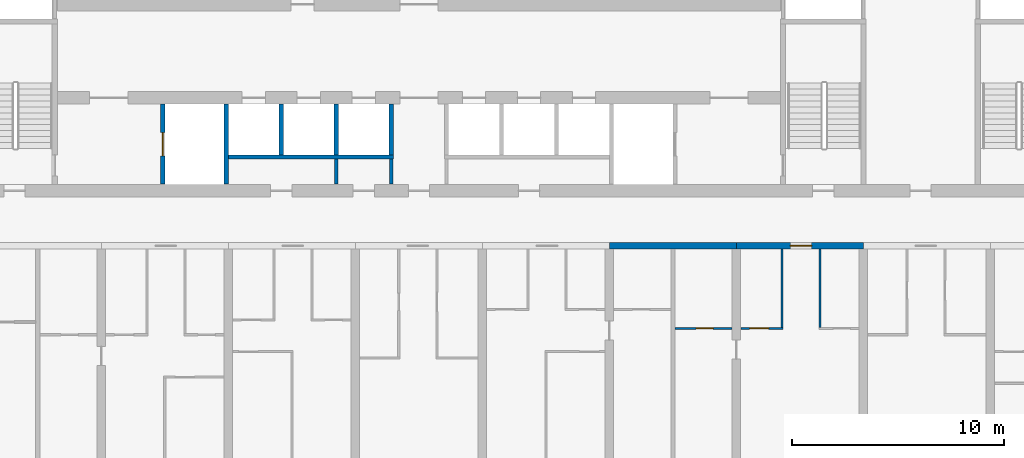
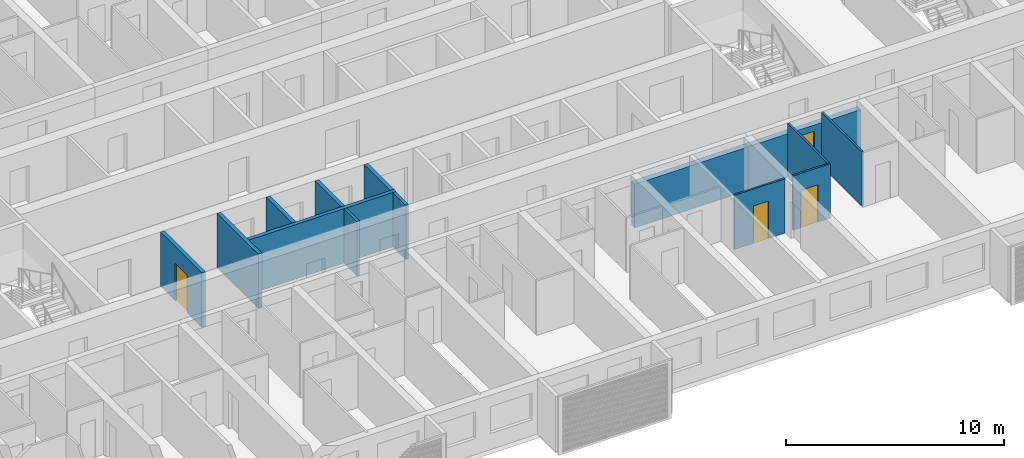
# One storey, part 6 of 39: 14 walls, 4 doors, 4 openings.
"""IFC4 building model written with IfcOpenShell, lengths in metres."""

from ifc_helpers import new_model, si_unit, direction, frame, frame_2d, origin, place, context, subcontext, project, spatial, rectangle, extrude, material, layer, layer_set, type_object, element, fill, save


model = new_model("IFC4")

# Units and contexts
model_context = context("Model", 3, precision=1e-05, world=origin(), true_north=direction((0.0, 1.0)))
body_context = subcontext(model_context, "Body", "Model", "MODEL_VIEW")
ifc_project = project(units=[si_unit("LENGTHUNIT", "METRE"), si_unit("AREAUNIT", "SQUARE_METRE"), si_unit("VOLUMEUNIT", "CUBIC_METRE"), si_unit("PLANEANGLEUNIT", "RADIAN"), si_unit("MASSUNIT", "GRAM", prefix="KILO")], contexts=[model_context])

# Site, building, storey
site_placement = place(None, origin())
site = spatial("IfcSite", under=ifc_project, at=site_placement, CompositionType="ELEMENT")
building_placement = place(site_placement, origin())
building = spatial("IfcBuilding", under=site, at=building_placement, Name="Poui Terraces", CompositionType="ELEMENT")
storey_placement = place(building_placement, frame((0.0, 0.0, 56.39990234375)))
storey = spatial("IfcBuildingStorey", under=building, at=storey_placement, Name="L15", CompositionType="ELEMENT", Elevation=56.39990234375)

# Walls
ifc_material_1 = material(Name="Fire-rated plasterboard wall")
ifc_layer_1 = layer(ifc_material_1, 0.14990234375)
ifc_layer_set_1 = layer_set([ifc_layer_1], Name="Fire-rated plasterboard wall")
wall_type_1 = type_object("IfcWallType", Name="CORRIDOR WALL 150", PredefinedType="PARTITIONING", material=ifc_layer_set_1)
wall_1_placement = place(storey_placement, frame((49.699951171875, 14.909912109375, 0.0), z_axis=(0.0, 0.0, 1.0), x_axis=(0.0, 1.0, 0.0)))
element("IfcWall", 1, at=wall_1_placement, inside=storey, type_object=wall_type_1, Name="CORRIDOR WALL 150", PredefinedType="PARTITIONING", context=body_context, shape_type="SweptSolid", body=[
    extrude(rectangle(XDim=1.190185546875, YDim=0.14990234375, at=frame_2d((0.59521484375, 0.0))), origin(), (0.0, 0.0, 1.0), 3.050048828125),
])
ifc_material_2 = material(Name="Concrete 80 MPa", Category="concrete")
ifc_layer_2 = layer(ifc_material_2, 0.300048828125)
ifc_layer_set_2 = layer_set([ifc_layer_2], Name="Concrete 80 MPa")
wall_type_2 = type_object("IfcWallType", Name="CORRIDOR WALL 300 80MPa", PredefinedType="SHEAR", material=ifc_layer_set_2)
wall_2_placement = place(storey_placement, frame((60.0, 12.0, 0.0), z_axis=(0.0, 0.0, 1.0), x_axis=(1.0, 0.0, 0.0)))
element("IfcWall", 2, at=wall_2_placement, inside=storey, type_object=wall_type_2, Name="CORRIDOR WALL LINE B BAY 10", PredefinedType="SHEAR", context=body_context, shape_type="SweptSolid", body=[
    extrude(rectangle(XDim=6.0, YDim=0.300048828125, at=frame_2d((3.0, 0.0))), origin(), (0.0, 0.0, 1.0), 2.4501953125),
])

# Wall, opening, door
wall_3_placement = place(storey_placement, frame((66.0, 12.0, 0.0), z_axis=(0.0, 0.0, 1.0), x_axis=(1.0, 0.0, 0.0)))
wall_3 = element("IfcWall", 3, at=wall_3_placement, inside=storey, type_object=wall_type_2, Name="CORRIDOR WALL LINE B BAY 11", PredefinedType="SHEAR", context=body_context, shape_type="SweptSolid", body=[
    extrude(rectangle(XDim=6.0, YDim=0.300048828125, at=frame_2d((3.0, 0.0))), origin(), (0.0, 0.0, 1.0), 2.4501953125),
])
opening_1_placement = place(wall_3_placement, frame((2.550048828125, 0.0, 0.0)))
opening_1 = element("IfcOpeningElement", 4, at=opening_1_placement, cuts=wall_3, Name="Opening FD30S", PredefinedType="OPENING", context=body_context, shape_type="SweptSolid", body=[
    extrude(rectangle(XDim=1.0, YDim=2.10009765625, at=frame_2d((0.5, 1.050048828125))), frame((0.0, 0.16015625, 0.0), z_axis=(0.0, -1.0, 0.0), x_axis=(1.0, 0.0, 0.0)), (0.0, 0.0, 1.0), 0.320068359375),
])
ifc_material_3 = material(Name="Steel fire door", Category="steel")
door_type_1 = type_object("IfcDoorType", Name="FLAT ENTRANCE DOOR 1000 X 2100", OperationType="NOTDEFINED", PredefinedType="DOOR", material=ifc_material_3)
door_1_placement = place(opening_1_placement, frame((1.0, 0.0, 0.0), z_axis=(0.0, 0.0, 1.0), x_axis=(-1.0, 0.0, 0.0)))
door_1 = element("IfcDoor", 5, at=door_1_placement, inside=storey, type_object=door_type_1, Name="FLAT ENTRANCE DOOR 121", OperationType="SINGLE_SWING_LEFT", OverallHeight=2.10009765625, OverallWidth=1.0, PredefinedType="DOOR", context=body_context, shape_type="SweptSolid", body=[
    extrude(rectangle(XDim=1.0, YDim=2.10009765625, at=frame_2d((0.5, 1.050048828125))), frame((0.0, 0.02490234375, 0.0), z_axis=(0.0, -1.0, 0.0), x_axis=(1.0, 0.0, 0.0)), (0.0, 0.0, 1.0), 0.050048828125),
])
fill(opening_1, door_1)

ifc_material_4 = material(Name="Plasterboard partition")
ifc_layer_3 = layer(ifc_material_4, 0.10009765625)
ifc_layer_set_3 = layer_set([ifc_layer_3], Name="Plasterboard partition")
wall_type_3 = type_object("IfcWallType", Name="FLAT PARTITION 100", PredefinedType="PARTITIONING", material=ifc_layer_set_3)
wall_4_placement = place(storey_placement, frame((63.10009765625, 8.10009765625, 0.0), z_axis=(0.0, 0.0, 1.0), x_axis=(1.0, 0.0, 0.0)))
wall_4 = element("IfcWall", 6, at=wall_4_placement, inside=storey, type_object=wall_type_3, Name="FLAT PARTITION 100", PredefinedType="PARTITIONING", context=body_context, shape_type="SweptSolid", body=[
    extrude(rectangle(XDim=2.68994140625, YDim=0.10009765625, at=frame_2d((1.344970703125, 0.0))), origin(), (0.0, 0.0, 1.0), 3.050048828125),
])
opening_2_placement = place(wall_4_placement, frame((1.0, 0.0, 0.0)))
opening_2 = element("IfcOpeningElement", 7, at=opening_2_placement, cuts=wall_4, Name="Opening D80", PredefinedType="OPENING", context=body_context, shape_type="SweptSolid", body=[
    extrude(rectangle(XDim=0.800048828125, YDim=2.10009765625, at=frame_2d((0.39990234375, 1.050048828125))), frame((0.0, 0.06005859375, 0.0), z_axis=(0.0, -1.0, 0.0), x_axis=(1.0, 0.0, 0.0)), (0.0, 0.0, 1.0), 0.1201171875),
])
ifc_material_5 = material(Name="Solid core timber door", Category="wood")
door_type_2 = type_object("IfcDoorType", Name="BATHROOM, LAUNDRY AND STORE DOOR 800 X 2100", OperationType="NOTDEFINED", PredefinedType="DOOR", material=ifc_material_5)
door_2_placement = place(opening_2_placement, origin())
door_2 = element("IfcDoor", 8, at=door_2_placement, inside=storey, type_object=door_type_2, Name="BATHROOM, LAUNDRY AND STORE DOOR 118", OperationType="SINGLE_SWING_RIGHT", OverallHeight=2.10009765625, OverallWidth=0.800048828125, PredefinedType="DOOR", context=body_context, shape_type="SweptSolid", body=[
    extrude(rectangle(XDim=0.800048828125, YDim=2.10009765625, at=frame_2d((0.39990234375, 1.050048828125))), frame((0.0, 0.02490234375, 0.0), z_axis=(0.0, -1.0, 0.0), x_axis=(1.0, 0.0, 0.0)), (0.0, 0.0, 1.0), 0.050048828125),
])
fill(opening_2, door_2)

wall_5_placement = place(storey_placement, frame((66.2099609375, 8.10009765625, 0.0), z_axis=(0.0, 0.0, 1.0), x_axis=(1.0, 0.0, 0.0)))
wall_5 = element("IfcWall", 9, at=wall_5_placement, inside=storey, type_object=wall_type_3, Name="FLAT PARTITION 100", PredefinedType="PARTITIONING", context=body_context, shape_type="SweptSolid", body=[
    extrude(rectangle(XDim=1.989990234375, YDim=0.10009765625, at=frame_2d((0.9951171875, 0.0))), origin(), (0.0, 0.0, 1.0), 3.050048828125),
])
opening_3_placement = place(wall_5_placement, frame((0.4150390625, 0.0, 0.0)))
opening_3 = element("IfcOpeningElement", 10, at=opening_3_placement, cuts=wall_5, Name="Opening D90", PredefinedType="OPENING", context=body_context, shape_type="SweptSolid", body=[
    extrude(rectangle(XDim=0.89990234375, YDim=2.10009765625, at=frame_2d((0.449951171875, 1.050048828125))), frame((0.0, 0.06005859375, 0.0), z_axis=(0.0, -1.0, 0.0), x_axis=(1.0, 0.0, 0.0)), (0.0, 0.0, 1.0), 0.1201171875),
])
door_type_3 = type_object("IfcDoorType", Name="INTERNAL DOOR 900 X 2100", OperationType="NOTDEFINED", PredefinedType="DOOR", material=ifc_material_5)
door_3_placement = place(opening_3_placement, origin())
door_3 = element("IfcDoor", 11, at=door_3_placement, inside=storey, type_object=door_type_3, Name="INTERNAL DOOR 120", OperationType="SINGLE_SWING_LEFT", OverallHeight=2.10009765625, OverallWidth=0.89990234375, PredefinedType="DOOR", context=body_context, shape_type="SweptSolid", body=[
    extrude(rectangle(XDim=0.89990234375, YDim=2.10009765625, at=frame_2d((0.449951171875, 1.050048828125))), frame((0.0, 0.02490234375, 0.0), z_axis=(0.0, -1.0, 0.0), x_axis=(1.0, 0.0, 0.0)), (0.0, 0.0, 1.0), 0.050048828125),
])
fill(opening_3, door_3)

# Walls
for number, where, z_axis, x_axis, name in (
    (12, (68.14990234375, 8.14990234375, 0.0), (0.0, 0.0, 1.0), (0.0, 1.0, 0.0), "FLAT PARTITION 100"),
    (13, (69.949951171875, 8.14990234375, 0.0), (0.0, 0.0, 1.0), (0.0, 1.0, 0.0), "FLAT PARTITION 100"),
):
    element("IfcWall", number, at=place(storey_placement, frame(where, z_axis=z_axis, x_axis=x_axis)), inside=storey, type_object=wall_type_3, Name=name, PredefinedType="PARTITIONING", context=body_context, shape_type="SweptSolid", body=[
        extrude(rectangle(XDim=3.690185546875, YDim=0.10009765625, at=frame_2d((1.84521484375, 0.0))), origin(), (0.0, 0.0, 1.0), 3.050048828125),
    ])
ifc_layer_4 = layer(ifc_material_4, 0.14990234375)
ifc_layer_set_4 = layer_set([ifc_layer_4], Name="Plasterboard partition")
wall_type_4 = type_object("IfcWallType", Name="PARTITION WALL 150", PredefinedType="PARTITIONING", material=ifc_layer_set_4)
wall_6_placement = place(storey_placement, frame((47.10009765625, 14.909912109375, 0.0), z_axis=(0.0, 0.0, 1.0), x_axis=(0.0, 1.0, 0.0)))
element("IfcWall", 14, at=wall_6_placement, inside=storey, type_object=wall_type_4, Name="PARTITION WALL 150", PredefinedType="PARTITIONING", context=body_context, shape_type="SweptSolid", body=[
    extrude(rectangle(XDim=1.190185546875, YDim=0.14990234375, at=frame_2d((0.59521484375, 0.0))), origin(), (0.0, 0.0, 1.0), 3.050048828125),
])
ifc_material_6 = material(Name="Fire-rated masonry shaft wall", Category="masonry")
ifc_layer_5 = layer(ifc_material_6, 0.199951171875)
ifc_layer_set_5 = layer_set([ifc_layer_5], Name="Fire-rated masonry shaft wall")
wall_type_5 = type_object("IfcWallType", Name="SHAFT WALL 200", PredefinedType="PARTITIONING", material=ifc_layer_set_5)
wall_7_placement = place(storey_placement, frame((42.0, 16.199951171875, 0.0), z_axis=(0.0, 0.0, 1.0), x_axis=(1.0, 0.0, 0.0)))
element("IfcWall", 15, at=wall_7_placement, inside=storey, type_object=wall_type_5, Name="SHAFT WALL 200", PredefinedType="PARTITIONING", context=body_context, shape_type="SweptSolid", body=[
    extrude(rectangle(XDim=7.800048828125, YDim=0.199951171875, at=frame_2d((3.89990234375, 0.0))), origin(), (0.0, 0.0, 1.0), 3.050048828125),
])

# Wall, opening, door
wall_8_placement = place(storey_placement, frame((38.89990234375, 14.909912109375, 0.0), z_axis=(0.0, 0.0, 1.0), x_axis=(0.0, 1.0, 0.0)))
wall_8 = element("IfcWall", 16, at=wall_8_placement, inside=storey, type_object=wall_type_5, Name="SHAFT WALL 200", PredefinedType="PARTITIONING", context=body_context, shape_type="SweptSolid", body=[
    extrude(rectangle(XDim=3.780029296875, YDim=0.199951171875, at=frame_2d((1.89013671875, 0.0))), origin(), (0.0, 0.0, 1.0), 3.050048828125),
])
opening_4_placement = place(wall_8_placement, frame((1.340087890625, 0.0, 0.0)))
opening_4 = element("IfcOpeningElement", 17, at=opening_4_placement, cuts=wall_8, Name="Opening LD", PredefinedType="OPENING", context=body_context, shape_type="SweptSolid", body=[
    extrude(rectangle(XDim=1.10009765625, YDim=2.10009765625, at=frame_2d((0.550048828125, 1.050048828125))), frame((0.0, 0.10986328125, 0.0), z_axis=(0.0, -1.0, 0.0), x_axis=(1.0, 0.0, 0.0)), (0.0, 0.0, 1.0), 0.219970703125),
])
ifc_material_7 = material(Name="Stainless steel sliding door", Category="steel")
door_type_4 = type_object("IfcDoorType", Name="LIFT LANDING DOOR 1100 X 2100", OperationType="DOUBLE_DOOR_SLIDING", PredefinedType="DOOR", material=ifc_material_7)
door_4_placement = place(opening_4_placement, origin())
door_4 = element("IfcDoor", 18, at=door_4_placement, inside=storey, type_object=door_type_4, Name="LANDING DOOR", OperationType="DOUBLE_DOOR_SLIDING", OverallHeight=2.10009765625, OverallWidth=1.10009765625, PredefinedType="DOOR", context=body_context, shape_type="SweptSolid", body=[
    extrude(rectangle(XDim=1.10009765625, YDim=2.10009765625, at=frame_2d((0.550048828125, 1.050048828125))), frame((0.0, 0.02490234375, 0.0), z_axis=(0.0, -1.0, 0.0), x_axis=(1.0, 0.0, 0.0)), (0.0, 0.0, 1.0), 0.050048828125),
])
fill(opening_4, door_4)

# Walls
wall_9_placement = place(storey_placement, frame((41.89990234375, 14.909912109375, 0.0), z_axis=(0.0, 0.0, 1.0), x_axis=(0.0, 1.0, 0.0)))
element("IfcWall", 19, at=wall_9_placement, inside=storey, type_object=wall_type_5, Name="SHAFT WALL 200", PredefinedType="PARTITIONING", context=body_context, shape_type="SweptSolid", body=[
    extrude(rectangle(XDim=3.780029296875, YDim=0.199951171875, at=frame_2d((1.89013671875, 0.0))), origin(), (0.0, 0.0, 1.0), 3.050048828125),
])
for number, where, z_axis, x_axis, name in (
    (20, (44.5, 16.300048828125, 0.0), (0.0, 0.0, 1.0), (0.0, 1.0, 0.0), "SHAFT WALL 200"),
    (21, (47.10009765625, 16.300048828125, 0.0), (0.0, 0.0, 1.0), (0.0, 1.0, 0.0), "SHAFT WALL 200"),
    (22, (49.699951171875, 16.300048828125, 0.0), (0.0, 0.0, 1.0), (0.0, 1.0, 0.0), "SHAFT WALL 200"),
):
    element("IfcWall", number, at=place(storey_placement, frame(where, z_axis=z_axis, x_axis=x_axis)), inside=storey, type_object=wall_type_5, Name=name, PredefinedType="PARTITIONING", context=body_context, shape_type="SweptSolid", body=[
        extrude(rectangle(XDim=2.389892578125, YDim=0.199951171875, at=frame_2d((1.19482421875, 0.0))), origin(), (0.0, 0.0, 1.0), 3.050048828125),
    ])

save(model, "model.ifc")
